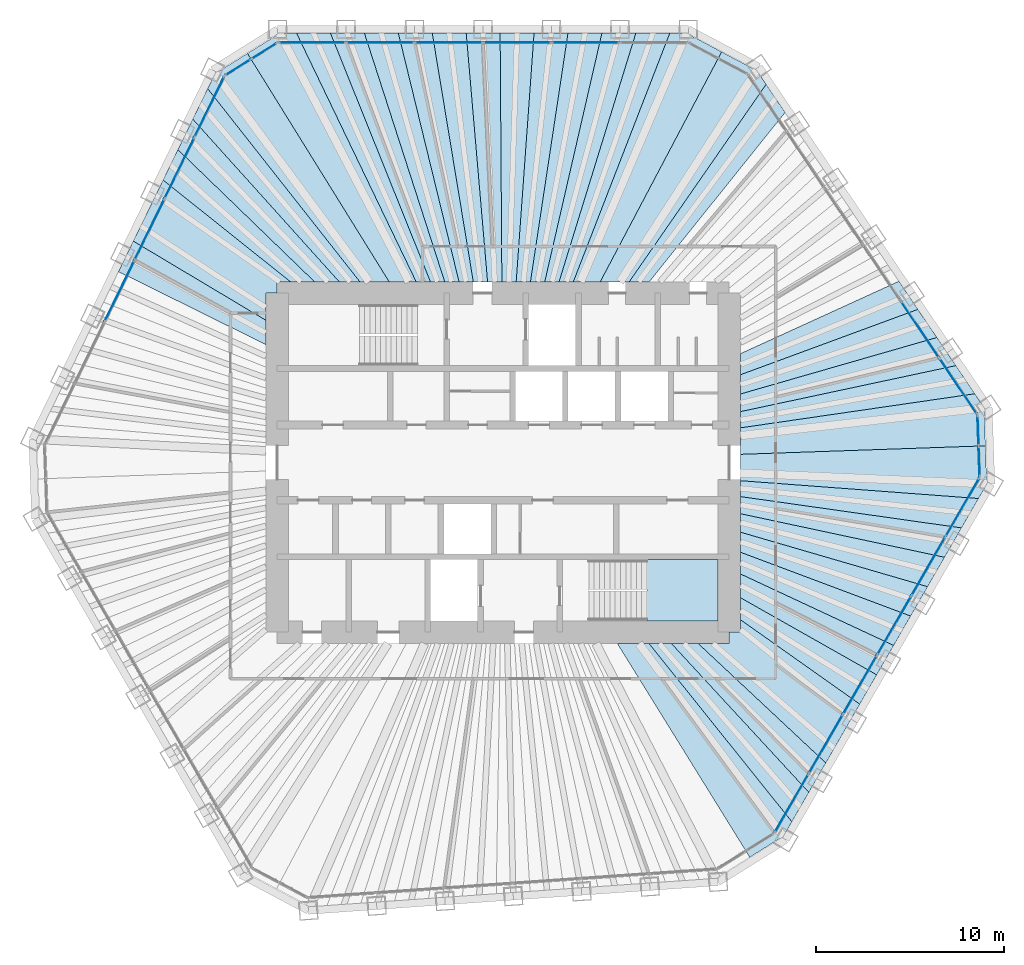
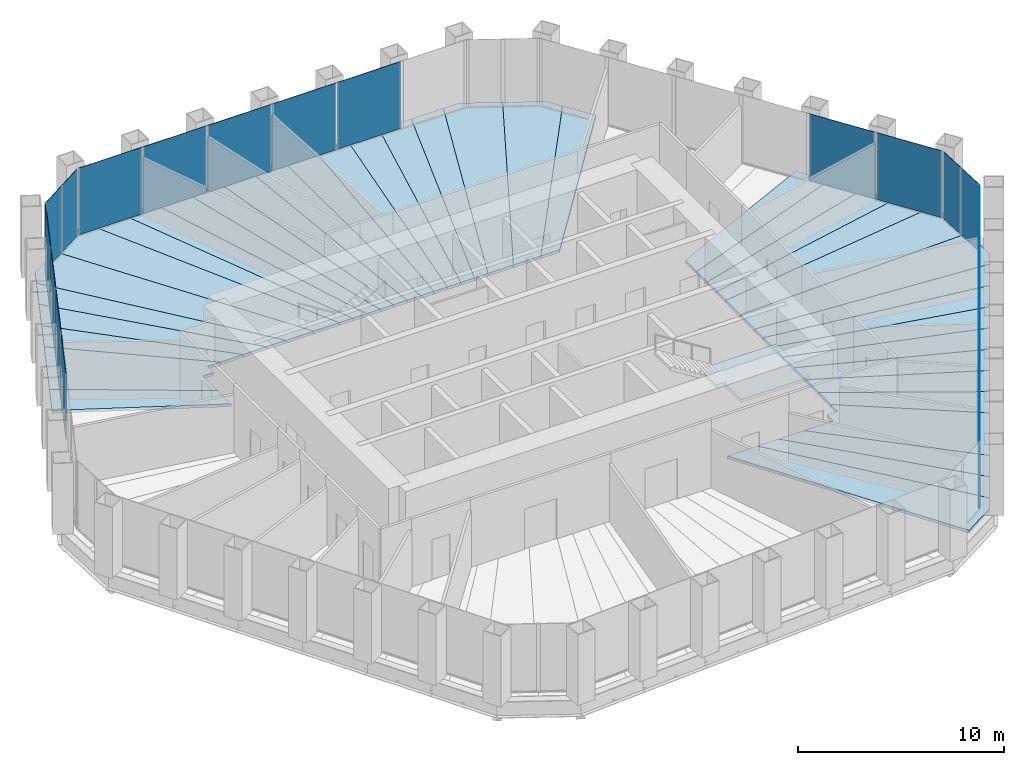
# One storey, part 9 of 14: 39 slabs, 21 plates, 7 elements without a shape of their own.
"""IFC4 building model written with IfcOpenShell, lengths in metres."""

import ifcopenshell
import ifcopenshell.guid

model = None  # the IFC model being written
_history = None  # IfcOwnerHistory: only IFC2X3 demands one
_inside = {}  # id of a spatial element -> (the spatial element, [elements in it])
_under = {}  # id of a project, library or spatial element -> (it, [spatial elements below it])
_declared = {}  # id of a project -> (the project, [libraries it declares])
_typed = {}  # id of a type object -> (the type object, [elements of that type])
_made_of = {}  # id of a material, layer set ... -> (it, [elements and type objects made of it])


def new_model(schema):
    """Start an empty IFC model of exactly this schema.

    Asked for "IFC4X3", IfcOpenShell would pick the latest addendum, in which some entities
    have other attributes; the version numbers below select the first issue.
    IFC2X3 requires an IfcOwnerHistory on every rooted entity: one is made here for all.
    """
    global model, _history
    if schema == "IFC4X3":
        model = ifcopenshell.file(schema_version=(4, 3, 0, 0))
    else:
        model = ifcopenshell.file(schema=schema)
    _inside.clear()
    _under.clear()
    _declared.clear()
    _typed.clear()
    _made_of.clear()
    _history = None
    if model.schema == "IFC2X3":
        org = make("IfcOrganization", Name="unknown")
        user = make(
            "IfcPersonAndOrganization",
            ThePerson=make("IfcPerson", FamilyName="unknown"),
            TheOrganization=org,
        )
        app = make(
            "IfcApplication",
            ApplicationDeveloper=org,
            Version="unknown",
            ApplicationFullName="unknown",
            ApplicationIdentifier="unknown",
        )
        _history = make(
            "IfcOwnerHistory",
            OwningUser=user,
            OwningApplication=app,
            ChangeAction="ADDED",
            CreationDate=0,
        )
    return model


def make(cls, **values):
    """One entity of the class cls with the attributes given. An attribute that is None is left unset."""
    return model.create_entity(
        cls, **{name: value for name, value in values.items() if value is not None}
    )


def rooted(cls, **values):
    """An entity with a GlobalId (a new one), such as an element, a storey or a relation."""
    return make(cls, GlobalId=ifcopenshell.guid.new(), OwnerHistory=_history, **values)


def si_unit(unit_type, name, prefix=None):
    """IfcSIUnit, for example si_unit("LENGTHUNIT", "METRE", prefix="MILLI")."""
    return make("IfcSIUnit", UnitType=unit_type, Prefix=prefix, Name=name)


def assignment(units):
    """IfcUnitAssignment: the units of a project."""
    return None if units is None else make("IfcUnitAssignment", Units=units)


def point(xyz):
    """IfcCartesianPoint."""
    return None if xyz is None else make("IfcCartesianPoint", Coordinates=xyz)


def direction(xyz):
    """IfcDirection."""
    return None if xyz is None else make("IfcDirection", DirectionRatios=xyz)


def frame(location, z_axis=None, x_axis=None):
    """IfcAxis2Placement3D, a coordinate frame: its origin and axes. An axis left out is left unset."""
    return make(
        "IfcAxis2Placement3D",
        Location=point(location),
        Axis=direction(z_axis),
        RefDirection=direction(x_axis),
    )


def frame_2d(location, x_axis=None):
    """IfcAxis2Placement2D, a coordinate frame in the plane: its origin and x axis."""
    return make(
        "IfcAxis2Placement2D", Location=point(location), RefDirection=direction(x_axis)
    )


def origin():
    """The frame at (0, 0, 0) with its axes left unset."""
    return frame((0.0, 0.0, 0.0))


def origin_2d():
    """The frame at (0, 0) in the plane with its x axis left unset."""
    return frame_2d((0.0, 0.0))


def place(relative_to, where):
    """IfcLocalPlacement: puts the frame where relative to a parent placement (None: the world)."""
    return make(
        "IfcLocalPlacement", PlacementRelTo=relative_to, RelativePlacement=where
    )


def context(
    kind, dimensions, precision=None, world=None, true_north=None, identifier=None
):
    """IfcGeometricRepresentationContext, for example the 3D "Model" context."""
    return make(
        "IfcGeometricRepresentationContext",
        ContextIdentifier=identifier,
        ContextType=kind,
        CoordinateSpaceDimension=dimensions,
        Precision=precision,
        WorldCoordinateSystem=world,
        TrueNorth=true_north,
    )


def subcontext(parent, identifier, kind, view, scale=None):
    """IfcGeometricRepresentationSubContext, for example "Body" below "Model"."""
    return make(
        "IfcGeometricRepresentationSubContext",
        ContextIdentifier=identifier,
        ContextType=kind,
        ParentContext=parent,
        TargetScale=scale,
        TargetView=view,
    )


def project(units=None, contexts=None):
    """IfcProject with its units and contexts."""
    return rooted(
        "IfcProject",
        Name="project",
        RepresentationContexts=contexts,
        UnitsInContext=assignment(units),
    )


def spatial(cls, under=None, at=None, **own):
    """A site, building, storey or space (cls), placed at a placement, below another one or the project."""
    s = rooted(cls, ObjectPlacement=at, **own)
    if under is not None:
        _under.setdefault(under.id(), (under, []))[1].append(s)
    return s


def polyline(points):
    """IfcPolyline through the points."""
    return make("IfcPolyline", Points=[point(p) for p in points])


def profile(cls, at=None, kind="AREA", **sizes):
    """A parametric profile (cls). Its sizes go by their IFC names, for example OverallWidth=200.0."""
    return make(cls, ProfileType=kind, Position=at, **sizes)


def rectangle(**sizes):
    """IfcRectangleProfileDef."""
    return profile("IfcRectangleProfileDef", **sizes)


def outline(outer, holes=None, kind="AREA"):
    """IfcArbitraryClosedProfileDef: a profile drawn as a closed curve; with holes, ...WithVoids."""
    if holes is None:
        return make("IfcArbitraryClosedProfileDef", ProfileType=kind, OuterCurve=outer)
    return make(
        "IfcArbitraryProfileDefWithVoids",
        ProfileType=kind,
        OuterCurve=outer,
        InnerCurves=holes,
    )


def extrude(swept, where, along, depth):
    """IfcExtrudedAreaSolid: the profile swept, set in the frame where, extruded along a direction by depth."""
    return make(
        "IfcExtrudedAreaSolid",
        SweptArea=swept,
        Position=where,
        ExtrudedDirection=direction(along),
        Depth=depth,
    )


def shape(context_of_items, identifier, shape_type, items):
    """IfcShapeRepresentation: the items that make up one representation, for example the "Body"."""
    return make(
        "IfcShapeRepresentation",
        ContextOfItems=context_of_items,
        RepresentationIdentifier=identifier,
        RepresentationType=shape_type,
        Items=items,
    )


def material(Name=None, Category=None):
    """IfcMaterial."""
    return make("IfcMaterial", Name=Name, Category=Category)


def layer(
    of_material, thickness, ventilated=None, Name=None, Category=None, Priority=None
):
    """IfcMaterialLayer: one layer of a wall or slab, of a material (None: an air gap)."""
    return make(
        "IfcMaterialLayer",
        Material=of_material,
        LayerThickness=thickness,
        IsVentilated=ventilated,
        Name=Name,
        Category=Category,
        Priority=Priority,
    )


def layer_set(layers, Name=None):
    """IfcMaterialLayerSet."""
    return make("IfcMaterialLayerSet", MaterialLayers=layers, LayerSetName=Name)


def made_of(thing, what):
    """Note that an element or type object is made of a material, layer set ...; save() writes the relation."""
    if what is not None:
        _made_of.setdefault(what.id(), (what, []))[1].append(thing)
    return thing


def type_object(cls, material=None, **own):
    """A type object (cls), such as IfcWallType, which elements share."""
    return made_of(rooted(cls, **own), material)


def element(
    cls,
    number,
    at=None,
    inside=None,
    cuts=None,
    type_object=None,
    material=None,
    context=None,
    identifier="Body",
    shape_type=None,
    held_by="IfcProductDefinitionShape",
    body=None,
    shapes=None,
    **own,
):
    """One element of the class cls, such as IfcWall. Its Tag is "e" and its number.

    at: its placement. inside: the storey or other place that contains it. cuts: it is an
    opening in that element (IfcRelVoidsElement). A single representation is given by context,
    identifier, shape_type and body (its items); several are given by shapes. held_by: the class
    of the entity that holds the representations. save() writes the other relations.
    """
    e = rooted(cls, Tag="e%d" % number, ObjectPlacement=at, **own)
    if body is not None:
        shapes = [shape(context, identifier, shape_type, body)]
    if shapes is not None:
        e.Representation = make(held_by, Representations=shapes)
    if inside is not None:
        _inside.setdefault(inside.id(), (inside, []))[1].append(e)
    if cuts is not None:
        rooted(
            "IfcRelVoidsElement", RelatingBuildingElement=cuts, RelatedOpeningElement=e
        )
    if type_object is not None:
        _typed.setdefault(type_object.id(), (type_object, []))[1].append(e)
    return made_of(e, material)


def aggregate(whole, parts):
    """IfcRelAggregates: a whole, such as a stair, and the parts it consists of."""
    return rooted("IfcRelAggregates", RelatingObject=whole, RelatedObjects=parts)


def save(model, path):
    """Write the relations noted so far, then the file.

    IfcRelAggregates (storeys below a building ...), IfcRelContainedInSpatialStructure (elements
    in a storey), IfcRelDefinesByType, IfcRelAssociatesMaterial and IfcRelDeclares: one each for
    every whole, place, type object, material and project.
    """
    for whole, parts in _under.values():
        aggregate(whole, parts)
    for where, things in _inside.values():
        rooted(
            "IfcRelContainedInSpatialStructure",
            RelatedElements=things,
            RelatingStructure=where,
        )
    for kind, things in _typed.values():
        rooted("IfcRelDefinesByType", RelatedObjects=things, RelatingType=kind)
    for what, things in _made_of.values():
        rooted("IfcRelAssociatesMaterial", RelatedObjects=things, RelatingMaterial=what)
    for by, libraries in _declared.values():
        rooted("IfcRelDeclares", RelatingContext=by, RelatedDefinitions=libraries)
    model.write(path)


model = new_model("IFC4")

# Units and contexts
model_context = context("Model", 3, precision=1e-05, world=origin(), true_north=direction((0.0, 1.0)))
body_context = subcontext(model_context, "Body", "Model", "MODEL_VIEW")
ifc_project = project(units=[si_unit("LENGTHUNIT", "METRE"), si_unit("AREAUNIT", "SQUARE_METRE"), si_unit("VOLUMEUNIT", "CUBIC_METRE"), si_unit("PLANEANGLEUNIT", "RADIAN"), si_unit("MASSUNIT", "GRAM", prefix="KILO")], contexts=[model_context])

# Site, building, storey
site_placement = place(None, origin())
site = spatial("IfcSite", under=ifc_project, at=site_placement, CompositionType="ELEMENT")
building_placement = place(site_placement, origin())
building = spatial("IfcBuilding", under=site, at=building_placement, Name="Qingtian Harvest Tower", CompositionType="ELEMENT")
storey_placement = place(building_placement, frame((0.0, 0.0, 243.39990234375)))
storey = spatial("IfcBuildingStorey", under=building, at=storey_placement, Name="L53", CompositionType="ELEMENT", Elevation=243.39990234375)

# Slabs
ifc_material_1 = material(Name="Concrete fc' 35 MPa", Category="concrete")
ifc_layer_1 = layer(ifc_material_1, 0.169921875)
ifc_layer_set_1 = layer_set([ifc_layer_1], Name="Composite floor slab FS17 170")
slab_type_1 = type_object("IfcSlabType", Name="Composite floor slab FS17 170", PredefinedType="FLOOR", material=ifc_layer_set_1)
slab_1_placement = place(storey_placement, frame((0.0, 0.0, -0.169921875)))
element("IfcSlab", 1, at=slab_1_placement, inside=storey, type_object=slab_type_1, Name="Floor slab L53 panel D27", PredefinedType="FLOOR", context=body_context, shape_type="SweptSolid", body=[
    extrude(outline(polyline([(6.059326171875, -9.60009765625), (7.740966796875, -9.60009765625), (15.3271484375, -19.0625), (14.886962890625, -19.8251953125), (13.090576171875, -20.94775390625), (6.059326171875, -9.60009765625)])), origin(), (0.0, 0.0, 1.0), 0.169921875),
])
slab_2_placement = place(storey_placement, frame((0.0, 0.0, -0.169921875)))
element("IfcSlab", 2, at=slab_2_placement, inside=storey, type_object=slab_type_1, Name="Floor slab L53 panel D28", PredefinedType="FLOOR", context=body_context, shape_type="SweptSolid", body=[
    extrude(outline(polyline([(8.929443359375, -9.60009765625), (16.22802734375, -17.50244140625), (15.3271484375, -19.0625), (7.740966796875, -9.60009765625), (8.929443359375, -9.60009765625)])), origin(), (0.0, 0.0, 1.0), 0.169921875),
])
slab_3_placement = place(storey_placement, frame((0.0, 0.0, -0.169921875)))
element("IfcSlab", 3, at=slab_3_placement, inside=storey, type_object=slab_type_1, Name="Floor slab L53 panel D29", PredefinedType="FLOOR", context=body_context, shape_type="SweptSolid", body=[
    extrude(outline(polyline([(10.35205078125, -9.60009765625), (17.128662109375, -15.942138671875), (16.22802734375, -17.50244140625), (8.929443359375, -9.60009765625), (10.35205078125, -9.60009765625)])), origin(), (0.0, 0.0, 1.0), 0.169921875),
])
slab_4_placement = place(storey_placement, frame((0.0, 0.0, -0.169921875)))
element("IfcSlab", 4, at=slab_4_placement, inside=storey, type_object=slab_type_1, Name="Floor slab L53 panel D31", PredefinedType="FLOOR", context=body_context, shape_type="SweptSolid", body=[
    extrude(outline(polyline([(12.60009765625, -8.33984375), (18.931884765625, -12.819091796875), (17.128662109375, -15.942138671875), (10.35205078125, -9.60009765625), (12.0, -9.60009765625), (12.0, -9.0), (12.60009765625, -9.0), (12.60009765625, -8.33984375)])), origin(), (0.0, 0.0, 1.0), 0.169921875),
])
slab_5_placement = place(storey_placement, frame((0.0, 0.0, -0.169921875)))
element("IfcSlab", 5, at=slab_5_placement, inside=storey, type_object=slab_type_1, Name="Floor slab L53 panel D32", PredefinedType="FLOOR", context=body_context, shape_type="SweptSolid", body=[
    extrude(outline(polyline([(12.60009765625, -7.171142578125), (19.830322265625, -11.262939453125), (18.931884765625, -12.819091796875), (12.60009765625, -8.33984375), (12.60009765625, -7.171142578125)])), origin(), (0.0, 0.0, 1.0), 0.169921875),
])
slab_6_placement = place(storey_placement, frame((0.0, 0.0, -0.169921875)))
element("IfcSlab", 6, at=slab_6_placement, inside=storey, type_object=slab_type_1, Name="Floor slab L53 panel D33", PredefinedType="FLOOR", context=body_context, shape_type="SweptSolid", body=[
    extrude(outline(polyline([(12.60009765625, -5.91015625), (20.73095703125, -9.702880859375), (19.830322265625, -11.262939453125), (12.60009765625, -7.171142578125), (12.60009765625, -5.91015625)])), origin(), (0.0, 0.0, 1.0), 0.169921875),
])
slab_7_placement = place(storey_placement, frame((0.0, 0.0, -0.169921875)))
element("IfcSlab", 7, at=slab_7_placement, inside=storey, type_object=slab_type_1, Name="Floor slab L53 panel D34", PredefinedType="FLOOR", context=body_context, shape_type="SweptSolid", body=[
    extrude(outline(polyline([(12.60009765625, -4.75439453125), (21.6318359375, -8.142578125), (20.73095703125, -9.702880859375), (12.60009765625, -5.91015625), (12.60009765625, -4.75439453125)])), origin(), (0.0, 0.0, 1.0), 0.169921875),
])
slab_8_placement = place(storey_placement, frame((0.0, 0.0, -0.169921875)))
element("IfcSlab", 8, at=slab_8_placement, inside=storey, type_object=slab_type_1, Name="Floor slab L53 panel D35", PredefinedType="FLOOR", context=body_context, shape_type="SweptSolid", body=[
    extrude(outline(polyline([(12.60009765625, -3.691162109375), (22.532470703125, -6.58251953125), (21.6318359375, -8.142578125), (12.60009765625, -4.75439453125), (12.60009765625, -3.691162109375)])), origin(), (0.0, 0.0, 1.0), 0.169921875),
])
slab_9_placement = place(storey_placement, frame((0.0, 0.0, -0.169921875)))
element("IfcSlab", 9, at=slab_9_placement, inside=storey, type_object=slab_type_1, Name="Floor slab L53 panel D36", PredefinedType="FLOOR", context=body_context, shape_type="SweptSolid", body=[
    extrude(outline(polyline([(12.60009765625, -2.709716796875), (23.43310546875, -5.022705078125), (22.532470703125, -6.58251953125), (12.60009765625, -3.691162109375), (12.60009765625, -2.709716796875)])), origin(), (0.0, 0.0, 1.0), 0.169921875),
])
slab_10_placement = place(storey_placement, frame((0.0, 0.0, -0.169921875)))
element("IfcSlab", 10, at=slab_10_placement, inside=storey, type_object=slab_type_1, Name="Floor slab L53 panel D37", PredefinedType="FLOOR", context=body_context, shape_type="SweptSolid", body=[
    extrude(outline(polyline([(12.60009765625, -1.801025390625), (24.333740234375, -3.462646484375), (23.43310546875, -5.022705078125), (12.60009765625, -2.709716796875), (12.60009765625, -1.801025390625)])), origin(), (0.0, 0.0, 1.0), 0.169921875),
])
slab_11_placement = place(storey_placement, frame((0.0, 0.0, -0.169921875)))
element("IfcSlab", 11, at=slab_11_placement, inside=storey, type_object=slab_type_1, Name="Floor slab L53 panel D38", PredefinedType="FLOOR", context=body_context, shape_type="SweptSolid", body=[
    extrude(outline(polyline([(12.60009765625, -0.95703125), (25.234619140625, -1.902587890625), (24.333740234375, -3.462646484375), (12.60009765625, -1.801025390625), (12.60009765625, -0.95703125)])), origin(), (0.0, 0.0, 1.0), 0.169921875),
])
slab_12_placement = place(storey_placement, frame((0.0, 0.0, -0.169921875)))
element("IfcSlab", 12, at=slab_12_placement, inside=storey, type_object=slab_type_1, Name="Floor slab L53 panel D39", PredefinedType="FLOOR", context=body_context, shape_type="SweptSolid", body=[
    extrude(outline(polyline([(12.60009765625, -0.95703125), (12.60009765625, 0.442626953125), (25.603759765625, 0.89404296875), (25.6748046875, -1.139892578125), (25.234619140625, -1.902587890625), (12.60009765625, -0.95703125)])), origin(), (0.0, 0.0, 1.0), 0.169921875),
])
slab_13_placement = place(storey_placement, frame((0.0, 0.0, -0.169921875)))
element("IfcSlab", 13, at=slab_13_placement, inside=storey, type_object=slab_type_1, Name="Floor slab L53 panel D40", PredefinedType="FLOOR", context=body_context, shape_type="SweptSolid", body=[
    extrude(outline(polyline([(12.60009765625, 0.442626953125), (12.60009765625, 1.848876953125), (25.040283203125, 3.658203125), (25.53271484375, 2.92822265625), (25.603759765625, 0.89404296875), (12.60009765625, 0.442626953125)])), origin(), (0.0, 0.0, 1.0), 0.169921875),
])
slab_14_placement = place(storey_placement, frame((0.0, 0.0, -0.169921875)))
element("IfcSlab", 14, at=slab_14_placement, inside=storey, type_object=slab_type_1, Name="Floor slab L53 panel D41", PredefinedType="FLOOR", context=body_context, shape_type="SweptSolid", body=[
    extrude(outline(polyline([(12.60009765625, 2.710205078125), (24.032958984375, 5.151611328125), (25.040283203125, 3.658203125), (12.60009765625, 1.848876953125), (12.60009765625, 2.710205078125)])), origin(), (0.0, 0.0, 1.0), 0.169921875),
])
slab_15_placement = place(storey_placement, frame((0.0, 0.0, -0.169921875)))
element("IfcSlab", 15, at=slab_15_placement, inside=storey, type_object=slab_type_1, Name="Floor slab L53 panel D42", PredefinedType="FLOOR", context=body_context, shape_type="SweptSolid", body=[
    extrude(outline(polyline([(12.60009765625, 3.646728515625), (23.025634765625, 6.64501953125), (24.032958984375, 5.151611328125), (12.60009765625, 2.710205078125), (12.60009765625, 3.646728515625)])), origin(), (0.0, 0.0, 1.0), 0.169921875),
])
slab_16_placement = place(storey_placement, frame((0.0, 0.0, -0.169921875)))
element("IfcSlab", 16, at=slab_16_placement, inside=storey, type_object=slab_type_1, Name="Floor slab L53 panel D43", PredefinedType="FLOOR", context=body_context, shape_type="SweptSolid", body=[
    extrude(outline(polyline([(12.60009765625, 4.669189453125), (22.018310546875, 8.138427734375), (23.025634765625, 6.64501953125), (12.60009765625, 3.646728515625), (12.60009765625, 4.669189453125)])), origin(), (0.0, 0.0, 1.0), 0.169921875),
])
slab_17_placement = place(storey_placement, frame((0.0, 0.0, -0.169921875)))
element("IfcSlab", 17, at=slab_17_placement, inside=storey, type_object=slab_type_1, Name="Floor slab L53 panel D44", PredefinedType="FLOOR", context=body_context, shape_type="SweptSolid", body=[
    extrude(outline(polyline([(12.60009765625, 5.7900390625), (21.010986328125, 9.6318359375), (22.018310546875, 8.138427734375), (12.60009765625, 4.669189453125), (12.60009765625, 5.7900390625)])), origin(), (0.0, 0.0, 1.0), 0.169921875),
])
slab_18_placement = place(storey_placement, frame((0.0, 0.0, -0.169921875)))
element("IfcSlab", 18, at=slab_18_placement, inside=storey, type_object=slab_type_1, Name="Floor slab L53 panel D51", PredefinedType="FLOOR", context=body_context, shape_type="SweptSolid", body=[
    extrude(outline(polyline([(6.6904296875, 9.60009765625), (13.960205078125, 20.085205078125), (14.967529296875, 18.591796875), (7.751220703125, 9.60009765625), (6.6904296875, 9.60009765625)])), origin(), (0.0, 0.0, 1.0), 0.169921875),
])
slab_19_placement = place(storey_placement, frame((0.0, 0.0, -0.169921875)))
element("IfcSlab", 19, at=slab_19_placement, inside=storey, type_object=slab_type_1, Name="Floor slab L53 panel D52", PredefinedType="FLOOR", context=body_context, shape_type="SweptSolid", body=[
    extrude(outline(polyline([(6.6904296875, 9.60009765625), (5.15185546875, 9.60009765625), (11.59716796875, 21.809814453125), (13.4677734375, 20.8154296875), (13.960205078125, 20.085205078125), (6.6904296875, 9.60009765625)])), origin(), (0.0, 0.0, 1.0), 0.169921875),
])
slab_20_placement = place(storey_placement, frame((0.0, 0.0, -0.169921875)))
element("IfcSlab", 20, at=slab_20_placement, inside=storey, type_object=slab_type_1, Name="Floor slab L53 panel D53", PredefinedType="FLOOR", context=body_context, shape_type="SweptSolid", body=[
    extrude(outline(polyline([(3.7236328125, 9.60009765625), (8.84521484375, 22.804931640625), (9.7255859375, 22.804931640625), (11.59716796875, 21.809814453125), (5.15185546875, 9.60009765625), (3.7236328125, 9.60009765625)])), origin(), (0.0, 0.0, 1.0), 0.169921875),
])
slab_21_placement = place(storey_placement, frame((0.0, 0.0, -0.169921875)))
element("IfcSlab", 21, at=slab_21_placement, inside=storey, type_object=slab_type_1, Name="Floor slab L53 panel D54", PredefinedType="FLOOR", context=body_context, shape_type="SweptSolid", body=[
    extrude(outline(polyline([(2.96533203125, 9.60009765625), (7.0439453125, 22.804931640625), (8.84521484375, 22.804931640625), (3.7236328125, 9.60009765625), (2.96533203125, 9.60009765625)])), origin(), (0.0, 0.0, 1.0), 0.169921875),
])
slab_22_placement = place(storey_placement, frame((0.0, 0.0, -0.169921875)))
element("IfcSlab", 22, at=slab_22_placement, inside=storey, type_object=slab_type_1, Name="Floor slab L53 panel D55", PredefinedType="FLOOR", context=body_context, shape_type="SweptSolid", body=[
    extrude(outline(polyline([(2.206787109375, 9.60009765625), (5.242431640625, 22.804931640625), (7.0439453125, 22.804931640625), (2.96533203125, 9.60009765625), (2.206787109375, 9.60009765625)])), origin(), (0.0, 0.0, 1.0), 0.169921875),
])
slab_23_placement = place(storey_placement, frame((0.0, 0.0, -0.169921875)))
element("IfcSlab", 23, at=slab_23_placement, inside=storey, type_object=slab_type_1, Name="Floor slab L53 panel D56", PredefinedType="FLOOR", context=body_context, shape_type="SweptSolid", body=[
    extrude(outline(polyline([(1.448486328125, 9.60009765625), (3.441162109375, 22.804931640625), (5.242431640625, 22.804931640625), (2.206787109375, 9.60009765625), (1.448486328125, 9.60009765625)])), origin(), (0.0, 0.0, 1.0), 0.169921875),
])
slab_24_placement = place(storey_placement, frame((0.0, 0.0, -0.169921875)))
element("IfcSlab", 24, at=slab_24_placement, inside=storey, type_object=slab_type_1, Name="Floor slab L53 panel D57", PredefinedType="FLOOR", context=body_context, shape_type="SweptSolid", body=[
    extrude(outline(polyline([(0.690185546875, 9.60009765625), (1.639892578125, 22.804931640625), (3.441162109375, 22.804931640625), (1.448486328125, 9.60009765625), (0.690185546875, 9.60009765625)])), origin(), (0.0, 0.0, 1.0), 0.169921875),
])
slab_25_placement = place(storey_placement, frame((0.0, 0.0, -0.169921875)))
element("IfcSlab", 25, at=slab_25_placement, inside=storey, type_object=slab_type_1, Name="Floor slab L53 panel D58", PredefinedType="FLOOR", context=body_context, shape_type="SweptSolid", body=[
    extrude(outline(polyline([(-0.068115234375, 9.60009765625), (-0.16162109375, 22.804931640625), (1.639892578125, 22.804931640625), (0.690185546875, 9.60009765625), (-0.068115234375, 9.60009765625)])), origin(), (0.0, 0.0, 1.0), 0.169921875),
])
slab_26_placement = place(storey_placement, frame((0.0, 0.0, -0.169921875)))
element("IfcSlab", 26, at=slab_26_placement, inside=storey, type_object=slab_type_1, Name="Floor slab L53 panel D59", PredefinedType="FLOOR", context=body_context, shape_type="SweptSolid", body=[
    extrude(outline(polyline([(-0.826416015625, 9.60009765625), (-1.962890625, 22.804931640625), (-0.16162109375, 22.804931640625), (-0.068115234375, 9.60009765625), (-0.826416015625, 9.60009765625)])), origin(), (0.0, 0.0, 1.0), 0.169921875),
])
slab_27_placement = place(storey_placement, frame((0.0, 0.0, -0.169921875)))
element("IfcSlab", 27, at=slab_27_placement, inside=storey, type_object=slab_type_1, Name="Floor slab L53 panel D60", PredefinedType="FLOOR", context=body_context, shape_type="SweptSolid", body=[
    extrude(outline(polyline([(-1.584716796875, 9.60009765625), (-3.764404296875, 22.804931640625), (-1.962890625, 22.804931640625), (-0.826416015625, 9.60009765625), (-1.584716796875, 9.60009765625)])), origin(), (0.0, 0.0, 1.0), 0.169921875),
])
slab_28_placement = place(storey_placement, frame((0.0, 0.0, -0.169921875)))
element("IfcSlab", 28, at=slab_28_placement, inside=storey, type_object=slab_type_1, Name="Floor slab L53 panel D61", PredefinedType="FLOOR", context=body_context, shape_type="SweptSolid", body=[
    extrude(outline(polyline([(-2.343017578125, 9.60009765625), (-5.565673828125, 22.804931640625), (-3.764404296875, 22.804931640625), (-1.584716796875, 9.60009765625), (-2.343017578125, 9.60009765625)])), origin(), (0.0, 0.0, 1.0), 0.169921875),
])
slab_29_placement = place(storey_placement, frame((0.0, 0.0, -0.169921875)))
element("IfcSlab", 29, at=slab_29_placement, inside=storey, type_object=slab_type_1, Name="Floor slab L53 panel D62", PredefinedType="FLOOR", context=body_context, shape_type="SweptSolid", body=[
    extrude(outline(polyline([(-3.101318359375, 9.60009765625), (-7.366943359375, 22.804931640625), (-5.565673828125, 22.804931640625), (-2.343017578125, 9.60009765625), (-3.101318359375, 9.60009765625)])), origin(), (0.0, 0.0, 1.0), 0.169921875),
])
slab_30_placement = place(storey_placement, frame((0.0, 0.0, -0.169921875)))
element("IfcSlab", 30, at=slab_30_placement, inside=storey, type_object=slab_type_1, Name="Floor slab L53 panel D63", PredefinedType="FLOOR", context=body_context, shape_type="SweptSolid", body=[
    extrude(outline(polyline([(-3.859619140625, 9.60009765625), (-9.16845703125, 22.804931640625), (-7.366943359375, 22.804931640625), (-3.101318359375, 9.60009765625), (-3.859619140625, 9.60009765625)])), origin(), (0.0, 0.0, 1.0), 0.169921875),
])
slab_31_placement = place(storey_placement, frame((0.0, 0.0, -0.169921875)))
element("IfcSlab", 31, at=slab_31_placement, inside=storey, type_object=slab_type_1, Name="Floor slab L53 panel D64", PredefinedType="FLOOR", context=body_context, shape_type="SweptSolid", body=[
    extrude(outline(polyline([(-4.617919921875, 9.60009765625), (-10.9697265625, 22.804931640625), (-9.16845703125, 22.804931640625), (-3.859619140625, 9.60009765625), (-4.617919921875, 9.60009765625)])), origin(), (0.0, 0.0, 1.0), 0.169921875),
])
slab_32_placement = place(storey_placement, frame((0.0, 0.0, -0.169921875)))
element("IfcSlab", 32, at=slab_32_placement, inside=storey, type_object=slab_type_1, Name="Floor slab L53 panel D65", PredefinedType="FLOOR", context=body_context, shape_type="SweptSolid", body=[
    extrude(outline(polyline([(-4.617919921875, 9.60009765625), (-6.050537109375, 9.60009765625), (-13.57666015625, 21.72607421875), (-11.85009765625, 22.804931640625), (-10.9697265625, 22.804931640625), (-4.617919921875, 9.60009765625)])), origin(), (0.0, 0.0, 1.0), 0.169921875),
])
slab_33_placement = place(storey_placement, frame((0.0, 0.0, -0.169921875)))
element("IfcSlab", 33, at=slab_33_placement, inside=storey, type_object=slab_type_1, Name="Floor slab L53 panel D66", PredefinedType="FLOOR", context=body_context, shape_type="SweptSolid", body=[
    extrude(outline(polyline([(-6.050537109375, 9.60009765625), (-7.60498046875, 9.60009765625), (-15.688232421875, 19.8564453125), (-15.30224609375, 20.64794921875), (-13.57666015625, 21.72607421875), (-6.050537109375, 9.60009765625)])), origin(), (0.0, 0.0, 1.0), 0.169921875),
])
slab_34_placement = place(storey_placement, frame((0.0, 0.0, -0.169921875)))
element("IfcSlab", 34, at=slab_34_placement, inside=storey, type_object=slab_type_1, Name="Floor slab L53 panel D67", PredefinedType="FLOOR", context=body_context, shape_type="SweptSolid", body=[
    extrude(outline(polyline([(-8.699951171875, 9.60009765625), (-16.47802734375, 18.2373046875), (-15.688232421875, 19.8564453125), (-7.60498046875, 9.60009765625), (-8.699951171875, 9.60009765625)])), origin(), (0.0, 0.0, 1.0), 0.169921875),
])
slab_35_placement = place(storey_placement, frame((0.0, 0.0, -0.169921875)))
element("IfcSlab", 35, at=slab_35_placement, inside=storey, type_object=slab_type_1, Name="Floor slab L53 panel D68", PredefinedType="FLOOR", context=body_context, shape_type="SweptSolid", body=[
    extrude(outline(polyline([(-10.009765625, 9.60009765625), (-17.267822265625, 16.6181640625), (-16.47802734375, 18.2373046875), (-8.699951171875, 9.60009765625), (-10.009765625, 9.60009765625)])), origin(), (0.0, 0.0, 1.0), 0.169921875),
])
slab_36_placement = place(storey_placement, frame((0.0, 0.0, -0.169921875)))
element("IfcSlab", 36, at=slab_36_placement, inside=storey, type_object=slab_type_1, Name="Floor slab L53 panel D69", PredefinedType="FLOOR", context=body_context, shape_type="SweptSolid", body=[
    extrude(outline(polyline([(-11.28759765625, 9.60009765625), (-18.055419921875, 15.003173828125), (-17.267822265625, 16.6181640625), (-10.009765625, 9.60009765625), (-11.28759765625, 9.60009765625)])), origin(), (0.0, 0.0, 1.0), 0.169921875),
])
slab_37_placement = place(storey_placement, frame((0.0, 0.0, -0.169921875)))
element("IfcSlab", 37, at=slab_37_placement, inside=storey, type_object=slab_type_1, Name="Floor slab L53 panel D70", PredefinedType="FLOOR", context=body_context, shape_type="SweptSolid", body=[
    extrude(outline(polyline([(-12.0, 9.0), (-12.60009765625, 9.0), (-12.60009765625, 7.560302734375), (-19.636474609375, 11.761474609375), (-18.055419921875, 15.003173828125), (-11.28759765625, 9.60009765625), (-12.0, 9.60009765625), (-12.0, 9.0)])), origin(), (0.0, 0.0, 1.0), 0.169921875),
])
slab_38_placement = place(storey_placement, frame((0.0, 0.0, -0.169921875)))
element("IfcSlab", 38, at=slab_38_placement, inside=storey, type_object=slab_type_1, Name="Floor slab L53 panel D72", PredefinedType="FLOOR", context=body_context, shape_type="SweptSolid", body=[
    extrude(outline(polyline([(-12.60009765625, 6.268310546875), (-20.426025390625, 10.142578125), (-19.636474609375, 11.761474609375), (-12.60009765625, 7.560302734375), (-12.60009765625, 6.268310546875)])), origin(), (0.0, 0.0, 1.0), 0.169921875),
])

# Curtain wall, plates
ifc_material_2 = material(Name="Bronze-anodised aluminium curtain wall", Category="aluminium")
curtain_wall_type = type_object("IfcCurtainWallType", Name="Curtain wall CW4 office", PredefinedType="USERDEFINED", material=ifc_material_2)
curtain_wall_1_placement = place(storey_placement, origin())
curtain_wall_1 = element("IfcCurtainWall", 39, at=curtain_wall_1_placement, inside=storey, type_object=curtain_wall_type, Name="Curtain wall CW4 L53 N0-5", ObjectType="RECESSED CURTAIN WALL", PredefinedType="USERDEFINED")
ifc_material_3 = material(Name="Bronze-tinted laminated insulating glass", Category="glass")
ifc_layer_2 = layer(ifc_material_3, 0.030029296875)
ifc_layer_set_2 = layer_set([ifc_layer_2], Name="Glazed panel CWP tinted IGU")
plate_type = type_object("IfcPlateType", Name="Glazed panel CWP tinted IGU", PredefinedType="CURTAIN_PANEL", material=ifc_layer_set_2)
plate_1_placement = place(storey_placement, frame((-10.138916015625, 22.300048828125, 0.06494140625), z_axis=(0.0, 0.0, 1.0), x_axis=(1.0, 0.0, 0.0)))
plate_1 = element("IfcPlate", 40, at=plate_1_placement, type_object=plate_type, Name="CW4 panel 1.1", PredefinedType="CURTAIN_PANEL", context=body_context, shape_type="SweptSolid", body=[
    extrude(rectangle(XDim=3.5361328125, YDim=0.030029296875, at=origin_2d()), origin(), (0.0, 0.0, 1.0), 3.965087890625),
])
plate_2_placement = place(storey_placement, frame((-6.521728515625, 22.300048828125, 0.06494140625), z_axis=(0.0, 0.0, 1.0), x_axis=(1.0, 0.0, 0.0)))
plate_2 = element("IfcPlate", 41, at=plate_2_placement, type_object=plate_type, Name="CW4 panel 2.1", PredefinedType="CURTAIN_PANEL", context=body_context, shape_type="SweptSolid", body=[
    extrude(rectangle(XDim=3.568603515625, YDim=0.030029296875, at=origin_2d()), origin(), (0.0, 0.0, 1.0), 3.965087890625),
])
plate_3_placement = place(storey_placement, frame((-2.88818359375, 22.300048828125, 0.06494140625), z_axis=(0.0, 0.0, 1.0), x_axis=(1.0, 0.0, 0.0)))
plate_3 = element("IfcPlate", 42, at=plate_3_placement, type_object=plate_type, Name="CW4 panel 3.1", PredefinedType="CURTAIN_PANEL", context=body_context, shape_type="SweptSolid", body=[
    extrude(rectangle(XDim=3.568603515625, YDim=0.030029296875, at=origin_2d()), origin(), (0.0, 0.0, 1.0), 3.965087890625),
])
plate_4_placement = place(storey_placement, frame((0.745361328125, 22.300048828125, 0.06494140625), z_axis=(0.0, 0.0, 1.0), x_axis=(1.0, 0.0, 0.0)))
plate_4 = element("IfcPlate", 43, at=plate_4_placement, type_object=plate_type, Name="CW4 panel 4.1", PredefinedType="CURTAIN_PANEL", context=body_context, shape_type="SweptSolid", body=[
    extrude(rectangle(XDim=3.568603515625, YDim=0.030029296875, at=origin_2d()), origin(), (0.0, 0.0, 1.0), 3.965087890625),
])
plate_5_placement = place(storey_placement, frame((4.37890625, 22.300048828125, 0.06494140625), z_axis=(0.0, 0.0, 1.0), x_axis=(1.0, 0.0, 0.0)))
plate_5 = element("IfcPlate", 44, at=plate_5_placement, type_object=plate_type, Name="CW4 panel 5.1", PredefinedType="CURTAIN_PANEL", context=body_context, shape_type="SweptSolid", body=[
    extrude(rectangle(XDim=3.568603515625, YDim=0.030029296875, at=origin_2d()), origin(), (0.0, 0.0, 1.0), 3.965087890625),
])
aggregate(curtain_wall_1, [plate_1, plate_2, plate_3, plate_4, plate_5])

curtain_wall_2_placement = place(storey_placement, origin())
curtain_wall_2 = element("IfcCurtainWall", 45, at=curtain_wall_2_placement, inside=storey, type_object=curtain_wall_type, Name="Curtain wall CW4 L53 NE0-5", ObjectType="RECESSED CURTAIN WALL", PredefinedType="USERDEFINED")
plate_6_placement = place(storey_placement, frame((22.134521484375, 7.063232421875, 0.06494140625), z_axis=(0.0, 0.0, 1.0), x_axis=(0.559192903471, -0.829037572555, 0.0)))
plate_6 = element("IfcPlate", 46, at=plate_6_placement, type_object=plate_type, Name="CW4 panel 5.1", PredefinedType="CURTAIN_PANEL", context=body_context, shape_type="SweptSolid", body=[
    extrude(rectangle(XDim=3.568603515625, YDim=0.030029296875, at=origin_2d()), origin(), (0.0, 0.0, 1.0), 3.965087890625),
])
plate_7_placement = place(storey_placement, frame((24.1572265625, 4.064453125, 0.06494140625), z_axis=(0.0, 0.0, 1.0), x_axis=(0.559192903471, -0.829037572555, 0.0)))
plate_7 = element("IfcPlate", 47, at=plate_7_placement, type_object=plate_type, Name="CW4 panel 6.1", PredefinedType="CURTAIN_PANEL", context=body_context, shape_type="SweptSolid", body=[
    extrude(rectangle(XDim=3.5361328125, YDim=0.030029296875, at=origin_2d()), origin(), (0.0, 0.0, 1.0), 3.965087890625),
])
aggregate(curtain_wall_2, [plate_6, plate_7])

curtain_wall_3_placement = place(storey_placement, origin())
curtain_wall_3 = element("IfcCurtainWall", 48, at=curtain_wall_3_placement, inside=storey, type_object=curtain_wall_type, Name="Curtain wall CW4 L53 NEC", ObjectType="RECESSED CURTAIN WALL", PredefinedType="USERDEFINED")
plate_8_placement = place(storey_placement, frame((25.2119140625, 1.69677734375, 0.06494140625), z_axis=(0.0, 0.0, 1.0), x_axis=(0.034899496703, -0.999390827019, 0.0)))
plate_8 = element("IfcPlate", 49, at=plate_8_placement, type_object=plate_type, Name="CW4 panel 1.1", PredefinedType="CURTAIN_PANEL", context=body_context, shape_type="SweptSolid", body=[
    extrude(rectangle(XDim=1.56689453125, YDim=0.030029296875, at=origin_2d()), origin(), (0.0, 0.0, 1.0), 3.965087890625),
])
plate_9_placement = place(storey_placement, frame((25.268798828125, 0.06591796875, 0.06494140625), z_axis=(0.0, 0.0, 1.0), x_axis=(0.034899496703, -0.999390827019, 0.0)))
plate_9 = element("IfcPlate", 50, at=plate_9_placement, type_object=plate_type, Name="CW4 panel 2.1", PredefinedType="CURTAIN_PANEL", context=body_context, shape_type="SweptSolid", body=[
    extrude(rectangle(XDim=1.56689453125, YDim=0.030029296875, at=origin_2d()), origin(), (0.0, 0.0, 1.0), 3.965087890625),
])
aggregate(curtain_wall_3, [plate_8, plate_9])

curtain_wall_4_placement = place(storey_placement, origin())
curtain_wall_4 = element("IfcCurtainWall", 51, at=curtain_wall_4_placement, inside=storey, type_object=curtain_wall_type, Name="Curtain wall CW4 L53 SE0-5", ObjectType="RECESSED CURTAIN WALL", PredefinedType="USERDEFINED")
plate_10_placement = place(storey_placement, frame((24.3818359375, -2.369384765625, 0.06494140625), z_axis=(0.0, 0.0, 1.0), x_axis=(-0.5, -0.866025403784, 0.0)))
plate_10 = element("IfcPlate", 52, at=plate_10_placement, type_object=plate_type, Name="CW4 panel 1.1", PredefinedType="CURTAIN_PANEL", context=body_context, shape_type="SweptSolid", body=[
    extrude(rectangle(XDim=3.5361328125, YDim=0.030029296875, at=origin_2d()), origin(), (0.0, 0.0, 1.0), 3.965087890625),
])
plate_11_placement = place(storey_placement, frame((22.5732421875, -5.501953125, 0.06494140625), z_axis=(0.0, 0.0, 1.0), x_axis=(-0.5, -0.866025403784, 0.0)))
plate_11 = element("IfcPlate", 53, at=plate_11_placement, type_object=plate_type, Name="CW4 panel 2.1", PredefinedType="CURTAIN_PANEL", context=body_context, shape_type="SweptSolid", body=[
    extrude(rectangle(XDim=3.568603515625, YDim=0.030029296875, at=origin_2d()), origin(), (0.0, 0.0, 1.0), 3.965087890625),
])
plate_12_placement = place(storey_placement, frame((20.75634765625, -8.64892578125, 0.06494140625), z_axis=(0.0, 0.0, 1.0), x_axis=(-0.5, -0.866025403784, 0.0)))
plate_12 = element("IfcPlate", 54, at=plate_12_placement, type_object=plate_type, Name="CW4 panel 3.1", PredefinedType="CURTAIN_PANEL", context=body_context, shape_type="SweptSolid", body=[
    extrude(rectangle(XDim=3.568603515625, YDim=0.030029296875, at=origin_2d()), origin(), (0.0, 0.0, 1.0), 3.965087890625),
])
plate_13_placement = place(storey_placement, frame((18.939697265625, -11.795654296875, 0.06494140625), z_axis=(0.0, 0.0, 1.0), x_axis=(-0.5, -0.866025403784, 0.0)))
plate_13 = element("IfcPlate", 55, at=plate_13_placement, type_object=plate_type, Name="CW4 panel 4.1", PredefinedType="CURTAIN_PANEL", context=body_context, shape_type="SweptSolid", body=[
    extrude(rectangle(XDim=3.568603515625, YDim=0.030029296875, at=origin_2d()), origin(), (0.0, 0.0, 1.0), 3.965087890625),
])
plate_14_placement = place(storey_placement, frame((17.122802734375, -14.9423828125, 0.06494140625), z_axis=(0.0, 0.0, 1.0), x_axis=(-0.5, -0.866025403784, 0.0)))
plate_14 = element("IfcPlate", 56, at=plate_14_placement, type_object=plate_type, Name="CW4 panel 5.1", PredefinedType="CURTAIN_PANEL", context=body_context, shape_type="SweptSolid", body=[
    extrude(rectangle(XDim=3.568603515625, YDim=0.030029296875, at=origin_2d()), origin(), (0.0, 0.0, 1.0), 3.965087890625),
])
plate_15_placement = place(storey_placement, frame((15.314208984375, -18.074951171875, 0.06494140625), z_axis=(0.0, 0.0, 1.0), x_axis=(-0.5, -0.866025403784, 0.0)))
plate_15 = element("IfcPlate", 57, at=plate_15_placement, type_object=plate_type, Name="CW4 panel 6.1", PredefinedType="CURTAIN_PANEL", context=body_context, shape_type="SweptSolid", body=[
    extrude(rectangle(XDim=3.5361328125, YDim=0.030029296875, at=origin_2d()), origin(), (0.0, 0.0, 1.0), 3.965087890625),
])
aggregate(curtain_wall_4, [plate_10, plate_11, plate_12, plate_13, plate_14, plate_15])

curtain_wall_5_placement = place(storey_placement, origin())
curtain_wall_5 = element("IfcCurtainWall", 58, at=curtain_wall_5_placement, inside=storey, type_object=curtain_wall_type, Name="Curtain wall CW4 L53 NW0-5", ObjectType="RECESSED CURTAIN WALL", PredefinedType="USERDEFINED")
plate_16_placement = place(storey_placement, frame((-20.369873046875, 9.105712890625, 0.06494140625), z_axis=(0.0, 0.0, 1.0), x_axis=(0.438371146789, 0.898794046299, 0.0)))
plate_16 = element("IfcPlate", 59, at=plate_16_placement, type_object=plate_type, Name="CW4 panel 3.1", PredefinedType="CURTAIN_PANEL", context=body_context, shape_type="SweptSolid", body=[
    extrude(rectangle(XDim=3.568603515625, YDim=0.030029296875, at=origin_2d()), origin(), (0.0, 0.0, 1.0), 3.965087890625),
])
plate_17_placement = place(storey_placement, frame((-18.777099609375, 12.37158203125, 0.06494140625), z_axis=(0.0, 0.0, 1.0), x_axis=(0.438371146789, 0.898794046299, 0.0)))
plate_17 = element("IfcPlate", 60, at=plate_17_placement, type_object=plate_type, Name="CW4 panel 4.1", PredefinedType="CURTAIN_PANEL", context=body_context, shape_type="SweptSolid", body=[
    extrude(rectangle(XDim=3.568603515625, YDim=0.030029296875, at=origin_2d()), origin(), (0.0, 0.0, 1.0), 3.965087890625),
])
plate_18_placement = place(storey_placement, frame((-17.18408203125, 15.63720703125, 0.06494140625), z_axis=(0.0, 0.0, 1.0), x_axis=(0.438371146789, 0.898794046299, 0.0)))
plate_18 = element("IfcPlate", 61, at=plate_18_placement, type_object=plate_type, Name="CW4 panel 5.1", PredefinedType="CURTAIN_PANEL", context=body_context, shape_type="SweptSolid", body=[
    extrude(rectangle(XDim=3.568603515625, YDim=0.030029296875, at=origin_2d()), origin(), (0.0, 0.0, 1.0), 3.965087890625),
])
plate_19_placement = place(storey_placement, frame((-15.598388671875, 18.888427734375, 0.06494140625), z_axis=(0.0, 0.0, 1.0), x_axis=(0.438371146789, 0.898794046299, 0.0)))
plate_19 = element("IfcPlate", 62, at=plate_19_placement, type_object=plate_type, Name="CW4 panel 6.1", PredefinedType="CURTAIN_PANEL", context=body_context, shape_type="SweptSolid", body=[
    extrude(rectangle(XDim=3.5361328125, YDim=0.030029296875, at=origin_2d()), origin(), (0.0, 0.0, 1.0), 3.965087890625),
])
aggregate(curtain_wall_5, [plate_16, plate_17, plate_18, plate_19])

curtain_wall_6_placement = place(storey_placement, origin())
curtain_wall_6 = element("IfcCurtainWall", 63, at=curtain_wall_6_placement, inside=storey, type_object=curtain_wall_type, Name="Curtain wall CW4 L53 NWC", ObjectType="RECESSED CURTAIN WALL", PredefinedType="USERDEFINED")
plate_20_placement = place(storey_placement, frame((-14.075439453125, 20.985595703125, 0.06494140625), z_axis=(0.0, 0.0, 1.0), x_axis=(0.848048096156, 0.529919264233, 0.0)))
plate_20 = element("IfcPlate", 64, at=plate_20_placement, type_object=plate_type, Name="CW4 panel 1.1", PredefinedType="CURTAIN_PANEL", context=body_context, shape_type="SweptSolid", body=[
    extrude(rectangle(XDim=1.56689453125, YDim=0.030029296875, at=origin_2d()), origin(), (0.0, 0.0, 1.0), 3.965087890625),
])
plate_21_placement = place(storey_placement, frame((-12.69140625, 21.850341796875, 0.06494140625), z_axis=(0.0, 0.0, 1.0), x_axis=(0.848048096156, 0.529919264233, 0.0)))
plate_21 = element("IfcPlate", 65, at=plate_21_placement, type_object=plate_type, Name="CW4 panel 2.1", PredefinedType="CURTAIN_PANEL", context=body_context, shape_type="SweptSolid", body=[
    extrude(rectangle(XDim=1.56689453125, YDim=0.030029296875, at=origin_2d()), origin(), (0.0, 0.0, 1.0), 3.965087890625),
])
aggregate(curtain_wall_6, [plate_20, plate_21])

# Stair, slab
ifc_material_4 = material(Name="Concrete fc' 35 MPa", Category="concrete")
stair_type = type_object("IfcStairType", Name="Special stair ST4 4200", PredefinedType="HALF_TURN_STAIR", material=ifc_material_4)
stair_placement = place(storey_placement, origin())
stair = element("IfcStair", 66, at=stair_placement, inside=storey, type_object=stair_type, Name="Special stair S2 L53", PredefinedType="HALF_TURN_STAIR")
ifc_material_5 = material(Name="Concrete fc' 35 MPa", Category="concrete")
ifc_layer_3 = layer(ifc_material_5, 0.199951171875)
ifc_layer_set_3 = layer_set([ifc_layer_3], Name="Stair landing SL2 200")
slab_type_2 = type_object("IfcSlabType", Name="Stair landing SL2 200", PredefinedType="LANDING", material=ifc_layer_set_3)
slab_39_placement = place(storey_placement, frame((0.0, 0.0, 1.900146484375)))
slab_39 = element("IfcSlab", 67, at=slab_39_placement, type_object=slab_type_2, Name="S2 landing 2", PredefinedType="LANDING", context=body_context, shape_type="SweptSolid", body=[
    extrude(outline(polyline([(7.530029296875, -8.39990234375), (7.530029296875, -6.824951171875), (7.6298828125, -6.824951171875), (7.6298828125, -6.72509765625), (7.094970703125, -6.72509765625), (7.094970703125, -5.14990234375), (11.39990234375, -5.14990234375), (11.39990234375, -8.39990234375), (7.530029296875, -8.39990234375)])), origin(), (0.0, 0.0, 1.0), 0.199951171875),
])
aggregate(stair, [slab_39])

save(model, "model.ifc")
